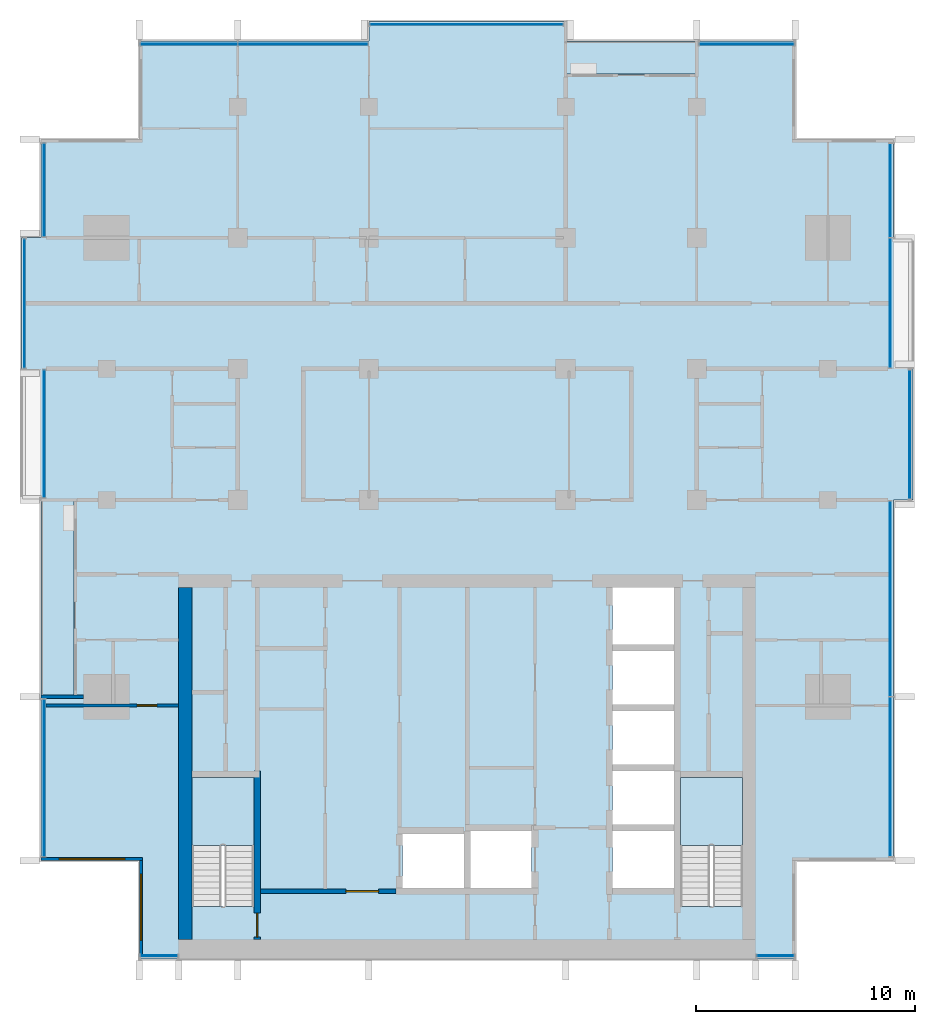
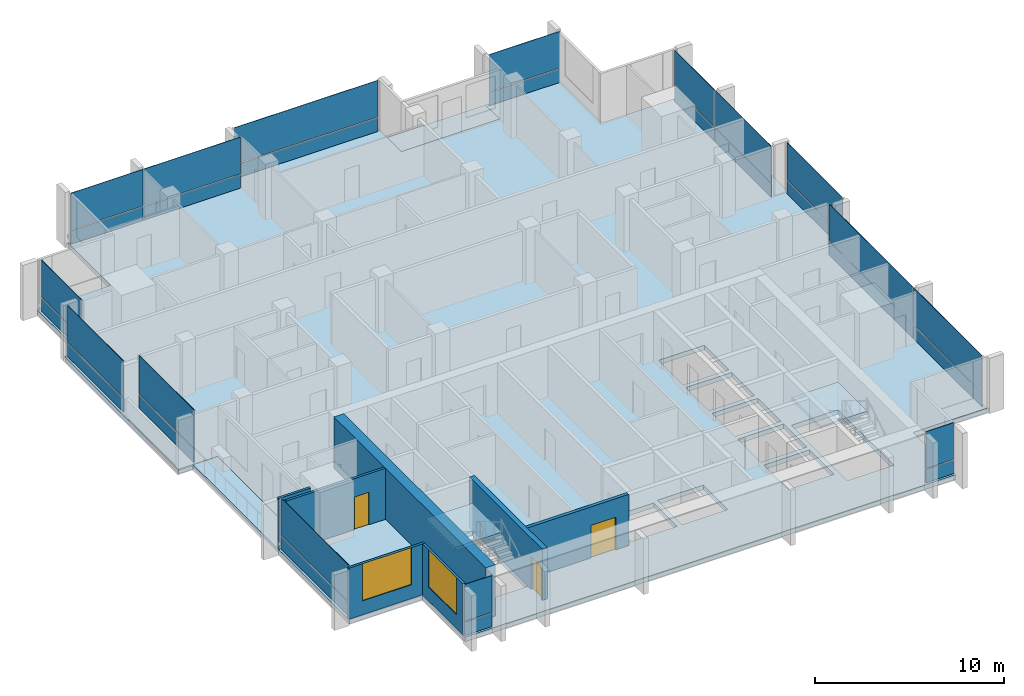
# One storey, part 6 of 16: 30 plates, 7 walls, 5 slabs, 3 doors, 2 windows, 5 openings, 14 elements without a shape of their own.
"""IFC4 building model written with IfcOpenShell, lengths in metres."""

import ifcopenshell
import ifcopenshell.guid

model = None  # the IFC model being written
_history = None  # IfcOwnerHistory: only IFC2X3 demands one
_inside = {}  # id of a spatial element -> (the spatial element, [elements in it])
_under = {}  # id of a project, library or spatial element -> (it, [spatial elements below it])
_declared = {}  # id of a project -> (the project, [libraries it declares])
_typed = {}  # id of a type object -> (the type object, [elements of that type])
_made_of = {}  # id of a material, layer set ... -> (it, [elements and type objects made of it])


def new_model(schema):
    """Start an empty IFC model of exactly this schema.

    Asked for "IFC4X3", IfcOpenShell would pick the latest addendum, in which some entities
    have other attributes; the version numbers below select the first issue.
    IFC2X3 requires an IfcOwnerHistory on every rooted entity: one is made here for all.
    """
    global model, _history
    if schema == "IFC4X3":
        model = ifcopenshell.file(schema_version=(4, 3, 0, 0))
    else:
        model = ifcopenshell.file(schema=schema)
    _inside.clear()
    _under.clear()
    _declared.clear()
    _typed.clear()
    _made_of.clear()
    _history = None
    if model.schema == "IFC2X3":
        org = make("IfcOrganization", Name="unknown")
        user = make(
            "IfcPersonAndOrganization",
            ThePerson=make("IfcPerson", FamilyName="unknown"),
            TheOrganization=org,
        )
        app = make(
            "IfcApplication",
            ApplicationDeveloper=org,
            Version="unknown",
            ApplicationFullName="unknown",
            ApplicationIdentifier="unknown",
        )
        _history = make(
            "IfcOwnerHistory",
            OwningUser=user,
            OwningApplication=app,
            ChangeAction="ADDED",
            CreationDate=0,
        )
    return model


def make(cls, **values):
    """One entity of the class cls with the attributes given. An attribute that is None is left unset."""
    return model.create_entity(
        cls, **{name: value for name, value in values.items() if value is not None}
    )


def rooted(cls, **values):
    """An entity with a GlobalId (a new one), such as an element, a storey or a relation."""
    return make(cls, GlobalId=ifcopenshell.guid.new(), OwnerHistory=_history, **values)


def si_unit(unit_type, name, prefix=None):
    """IfcSIUnit, for example si_unit("LENGTHUNIT", "METRE", prefix="MILLI")."""
    return make("IfcSIUnit", UnitType=unit_type, Prefix=prefix, Name=name)


def assignment(units):
    """IfcUnitAssignment: the units of a project."""
    return None if units is None else make("IfcUnitAssignment", Units=units)


def point(xyz):
    """IfcCartesianPoint."""
    return None if xyz is None else make("IfcCartesianPoint", Coordinates=xyz)


def direction(xyz):
    """IfcDirection."""
    return None if xyz is None else make("IfcDirection", DirectionRatios=xyz)


def frame(location, z_axis=None, x_axis=None):
    """IfcAxis2Placement3D, a coordinate frame: its origin and axes. An axis left out is left unset."""
    return make(
        "IfcAxis2Placement3D",
        Location=point(location),
        Axis=direction(z_axis),
        RefDirection=direction(x_axis),
    )


def frame_2d(location, x_axis=None):
    """IfcAxis2Placement2D, a coordinate frame in the plane: its origin and x axis."""
    return make(
        "IfcAxis2Placement2D", Location=point(location), RefDirection=direction(x_axis)
    )


def origin():
    """The frame at (0, 0, 0) with its axes left unset."""
    return frame((0.0, 0.0, 0.0))


def origin_2d():
    """The frame at (0, 0) in the plane with its x axis left unset."""
    return frame_2d((0.0, 0.0))


def place(relative_to, where):
    """IfcLocalPlacement: puts the frame where relative to a parent placement (None: the world)."""
    return make(
        "IfcLocalPlacement", PlacementRelTo=relative_to, RelativePlacement=where
    )


def context(
    kind, dimensions, precision=None, world=None, true_north=None, identifier=None
):
    """IfcGeometricRepresentationContext, for example the 3D "Model" context."""
    return make(
        "IfcGeometricRepresentationContext",
        ContextIdentifier=identifier,
        ContextType=kind,
        CoordinateSpaceDimension=dimensions,
        Precision=precision,
        WorldCoordinateSystem=world,
        TrueNorth=true_north,
    )


def subcontext(parent, identifier, kind, view, scale=None):
    """IfcGeometricRepresentationSubContext, for example "Body" below "Model"."""
    return make(
        "IfcGeometricRepresentationSubContext",
        ContextIdentifier=identifier,
        ContextType=kind,
        ParentContext=parent,
        TargetScale=scale,
        TargetView=view,
    )


def project(units=None, contexts=None):
    """IfcProject with its units and contexts."""
    return rooted(
        "IfcProject",
        Name="project",
        RepresentationContexts=contexts,
        UnitsInContext=assignment(units),
    )


def spatial(cls, under=None, at=None, **own):
    """A site, building, storey or space (cls), placed at a placement, below another one or the project."""
    s = rooted(cls, ObjectPlacement=at, **own)
    if under is not None:
        _under.setdefault(under.id(), (under, []))[1].append(s)
    return s


def polyline(points):
    """IfcPolyline through the points."""
    return make("IfcPolyline", Points=[point(p) for p in points])


def profile(cls, at=None, kind="AREA", **sizes):
    """A parametric profile (cls). Its sizes go by their IFC names, for example OverallWidth=200.0."""
    return make(cls, ProfileType=kind, Position=at, **sizes)


def rectangle(**sizes):
    """IfcRectangleProfileDef."""
    return profile("IfcRectangleProfileDef", **sizes)


def outline(outer, holes=None, kind="AREA"):
    """IfcArbitraryClosedProfileDef: a profile drawn as a closed curve; with holes, ...WithVoids."""
    if holes is None:
        return make("IfcArbitraryClosedProfileDef", ProfileType=kind, OuterCurve=outer)
    return make(
        "IfcArbitraryProfileDefWithVoids",
        ProfileType=kind,
        OuterCurve=outer,
        InnerCurves=holes,
    )


def extrude(swept, where, along, depth):
    """IfcExtrudedAreaSolid: the profile swept, set in the frame where, extruded along a direction by depth."""
    return make(
        "IfcExtrudedAreaSolid",
        SweptArea=swept,
        Position=where,
        ExtrudedDirection=direction(along),
        Depth=depth,
    )


def shape(context_of_items, identifier, shape_type, items):
    """IfcShapeRepresentation: the items that make up one representation, for example the "Body"."""
    return make(
        "IfcShapeRepresentation",
        ContextOfItems=context_of_items,
        RepresentationIdentifier=identifier,
        RepresentationType=shape_type,
        Items=items,
    )


def material(Name=None, Category=None):
    """IfcMaterial."""
    return make("IfcMaterial", Name=Name, Category=Category)


def layer(
    of_material, thickness, ventilated=None, Name=None, Category=None, Priority=None
):
    """IfcMaterialLayer: one layer of a wall or slab, of a material (None: an air gap)."""
    return make(
        "IfcMaterialLayer",
        Material=of_material,
        LayerThickness=thickness,
        IsVentilated=ventilated,
        Name=Name,
        Category=Category,
        Priority=Priority,
    )


def layer_set(layers, Name=None):
    """IfcMaterialLayerSet."""
    return make("IfcMaterialLayerSet", MaterialLayers=layers, LayerSetName=Name)


def made_of(thing, what):
    """Note that an element or type object is made of a material, layer set ...; save() writes the relation."""
    if what is not None:
        _made_of.setdefault(what.id(), (what, []))[1].append(thing)
    return thing


def type_object(cls, material=None, **own):
    """A type object (cls), such as IfcWallType, which elements share."""
    return made_of(rooted(cls, **own), material)


def element(
    cls,
    number,
    at=None,
    inside=None,
    cuts=None,
    type_object=None,
    material=None,
    context=None,
    identifier="Body",
    shape_type=None,
    held_by="IfcProductDefinitionShape",
    body=None,
    shapes=None,
    **own,
):
    """One element of the class cls, such as IfcWall. Its Tag is "e" and its number.

    at: its placement. inside: the storey or other place that contains it. cuts: it is an
    opening in that element (IfcRelVoidsElement). A single representation is given by context,
    identifier, shape_type and body (its items); several are given by shapes. held_by: the class
    of the entity that holds the representations. save() writes the other relations.
    """
    e = rooted(cls, Tag="e%d" % number, ObjectPlacement=at, **own)
    if body is not None:
        shapes = [shape(context, identifier, shape_type, body)]
    if shapes is not None:
        e.Representation = make(held_by, Representations=shapes)
    if inside is not None:
        _inside.setdefault(inside.id(), (inside, []))[1].append(e)
    if cuts is not None:
        rooted(
            "IfcRelVoidsElement", RelatingBuildingElement=cuts, RelatedOpeningElement=e
        )
    if type_object is not None:
        _typed.setdefault(type_object.id(), (type_object, []))[1].append(e)
    return made_of(e, material)


def fill(opening, filler):
    """IfcRelFillsElement: the door or window that sits in an opening."""
    return rooted(
        "IfcRelFillsElement",
        RelatingOpeningElement=opening,
        RelatedBuildingElement=filler,
    )


def aggregate(whole, parts):
    """IfcRelAggregates: a whole, such as a stair, and the parts it consists of."""
    return rooted("IfcRelAggregates", RelatingObject=whole, RelatedObjects=parts)


def save(model, path):
    """Write the relations noted so far, then the file.

    IfcRelAggregates (storeys below a building ...), IfcRelContainedInSpatialStructure (elements
    in a storey), IfcRelDefinesByType, IfcRelAssociatesMaterial and IfcRelDeclares: one each for
    every whole, place, type object, material and project.
    """
    for whole, parts in _under.values():
        aggregate(whole, parts)
    for where, things in _inside.values():
        rooted(
            "IfcRelContainedInSpatialStructure",
            RelatedElements=things,
            RelatingStructure=where,
        )
    for kind, things in _typed.values():
        rooted("IfcRelDefinesByType", RelatedObjects=things, RelatingType=kind)
    for what, things in _made_of.values():
        rooted("IfcRelAssociatesMaterial", RelatedObjects=things, RelatingMaterial=what)
    for by, libraries in _declared.values():
        rooted("IfcRelDeclares", RelatingContext=by, RelatedDefinitions=libraries)
    model.write(path)


model = new_model("IFC4")

# Units and contexts
model_context = context("Model", 3, precision=1e-05, world=origin(), true_north=direction((0.0, 1.0)))
body_context = subcontext(model_context, "Body", "Model", "MODEL_VIEW")
ifc_project = project(units=[si_unit("LENGTHUNIT", "METRE"), si_unit("AREAUNIT", "SQUARE_METRE"), si_unit("VOLUMEUNIT", "CUBIC_METRE"), si_unit("PLANEANGLEUNIT", "RADIAN"), si_unit("MASSUNIT", "GRAM", prefix="KILO")], contexts=[model_context])

# Site, building, storey
site_placement = place(None, origin())
site = spatial("IfcSite", under=ifc_project, at=site_placement, CompositionType="ELEMENT")
building_placement = place(site_placement, origin())
building = spatial("IfcBuilding", under=site, at=building_placement, Name="Finial Court Residences", CompositionType="ELEMENT")
storey_placement = place(building_placement, frame((0.0, 0.0, 230.300048828125)))
storey = spatial("IfcBuildingStorey", under=building, at=storey_placement, Name="L58", CompositionType="ELEMENT", Elevation=230.300048828125)

# Slabs
ifc_material_1 = material(Name="Concrete C35/45", Category="concrete")
ifc_layer_1 = layer(ifc_material_1, 0.199951171875)
ifc_layer_set_1 = layer_set([ifc_layer_1], Name="Balcony slab, Concrete C35/45 200")
slab_type_1 = type_object("IfcSlabType", Name="Balcony slab, Concrete C35/45 200", PredefinedType="FLOOR", material=ifc_layer_set_1)
slab_1_placement = place(storey_placement, frame((0.0, 0.0, -0.199951171875)))
element("IfcSlab", 1, at=slab_1_placement, inside=storey, type_object=slab_type_1, Name="Balcony L58-N4", PredefinedType="FLOOR", context=body_context, shape_type="SweptSolid", body=[
    extrude(outline(polyline([(10.5, 15.0), (10.5, 16.5), (4.5, 16.5), (4.5, 15.0), (10.5, 15.0)])), origin(), (0.0, 0.0, 1.0), 0.199951171875),
])
slab_2_placement = place(storey_placement, frame((0.0, 0.0, -0.199951171875)))
element("IfcSlab", 2, at=slab_2_placement, inside=storey, type_object=slab_type_1, Name="Balcony L58-W2", PredefinedType="FLOOR", context=body_context, shape_type="SweptSolid", body=[
    extrude(outline(polyline([(-18.0, -13.5), (-18.0, -4.5), (-19.5, -4.5), (-19.5, -13.5), (-18.0, -13.5)])), origin(), (0.0, 0.0, 1.0), 0.199951171875),
])

# Curtain wall, plates
ifc_material_2 = material(Name="Bronze anodised aluminium", Category="aluminium")
curtain_wall_type = type_object("IfcCurtainWallType", Name="Unitised curtain wall, upper zones", PredefinedType="NOTDEFINED", material=ifc_material_2)
curtain_wall_1_placement = place(storey_placement, origin())
curtain_wall_1 = element("IfcCurtainWall", 3, at=curtain_wall_1_placement, inside=storey, type_object=curtain_wall_type, Name="E-L58-CW-N1", PredefinedType="NOTDEFINED")
ifc_layer_2 = layer(ifc_material_2, 0.035888671875)
ifc_layer_set_2 = layer_set([ifc_layer_2], Name="CW2 spandrel panel 36")
plate_type_1 = type_object("IfcPlateType", Name="CW2 spandrel panel 36", PredefinedType="CURTAIN_PANEL", material=ifc_layer_set_2)
plate_1_placement = place(storey_placement, frame((-12.735107421875, 16.35009765625, 0.0), z_axis=(0.0, 0.0, 1.0), x_axis=(1.0, 0.0, 0.0)))
plate_1 = element("IfcPlate", 4, at=plate_1_placement, type_object=plate_type_1, Name="CW2 spandrel 1.1", PredefinedType="CURTAIN_PANEL", context=body_context, shape_type="SweptSolid", body=[
    extrude(rectangle(XDim=4.409912109375, YDim=0.035888671875, at=origin_2d()), origin(), (0.0, 0.0, 1.0), 0.8701171875),
])
plate_2_placement = place(storey_placement, frame((-7.514892578125, 16.35009765625, 0.0), z_axis=(0.0, 0.0, 1.0), x_axis=(1.0, 0.0, 0.0)))
plate_2 = element("IfcPlate", 5, at=plate_2_placement, type_object=plate_type_1, Name="CW2 spandrel 2.1", PredefinedType="CURTAIN_PANEL", context=body_context, shape_type="SweptSolid", body=[
    extrude(rectangle(XDim=5.909912109375, YDim=0.035888671875, at=origin_2d()), origin(), (0.0, 0.0, 1.0), 0.8701171875),
])

# Curtain wall, plate
curtain_wall_2_placement = place(storey_placement, origin())
curtain_wall_2 = element("IfcCurtainWall", 6, at=curtain_wall_2_placement, inside=storey, type_object=curtain_wall_type, Name="E-L58-CW-N2", PredefinedType="NOTDEFINED")
plate_3_placement = place(storey_placement, frame((-0.03759765625, 17.25, 0.0), z_axis=(0.0, 0.0, 1.0), x_axis=(1.0, 0.0, 0.0)))
plate_3 = element("IfcPlate", 7, at=plate_3_placement, type_object=plate_type_1, Name="CW2 spandrel 1.1", PredefinedType="CURTAIN_PANEL", context=body_context, shape_type="SweptSolid", body=[
    extrude(rectangle(XDim=8.804931640625, YDim=0.035888671875, at=origin_2d()), origin(), (0.0, 0.0, 1.0), 0.8701171875),
])

curtain_wall_3_placement = place(storey_placement, origin())
curtain_wall_3 = element("IfcCurtainWall", 8, at=curtain_wall_3_placement, inside=storey, type_object=curtain_wall_type, Name="E-L58-CW-N3", PredefinedType="NOTDEFINED")
plate_4_placement = place(storey_placement, frame((12.78759765625, 16.35009765625, 0.0), z_axis=(0.0, 0.0, 1.0), x_axis=(1.0, 0.0, 0.0)))
plate_4 = element("IfcPlate", 9, at=plate_4_placement, type_object=plate_type_1, Name="CW2 spandrel 1.1", PredefinedType="CURTAIN_PANEL", context=body_context, shape_type="SweptSolid", body=[
    extrude(rectangle(XDim=4.304931640625, YDim=0.035888671875, at=origin_2d()), origin(), (0.0, 0.0, 1.0), 0.8701171875),
])

# Curtain wall, plates
curtain_wall_4_placement = place(storey_placement, origin())
curtain_wall_4 = element("IfcCurtainWall", 10, at=curtain_wall_4_placement, inside=storey, type_object=curtain_wall_type, Name="E-L58-CW-E4", PredefinedType="NOTDEFINED")
plate_5_placement = place(storey_placement, frame((19.35009765625, -17.159912109375, 0.0), z_axis=(0.0, 0.0, 1.0), x_axis=(0.0, 1.0, 0.0)))
plate_5 = element("IfcPlate", 11, at=plate_5_placement, type_object=plate_type_1, Name="CW2 spandrel 1.1", PredefinedType="CURTAIN_PANEL", context=body_context, shape_type="SweptSolid", body=[
    extrude(rectangle(XDim=7.260009765625, YDim=0.035888671875, at=origin_2d()), origin(), (0.0, 0.0, 1.0), 0.8701171875),
])
plate_6_placement = place(storey_placement, frame((19.35009765625, -9.014892578125, 0.0), z_axis=(0.0, 0.0, 1.0), x_axis=(0.0, 1.0, 0.0)))
plate_6 = element("IfcPlate", 12, at=plate_6_placement, type_object=plate_type_1, Name="CW2 spandrel 2.1", PredefinedType="CURTAIN_PANEL", context=body_context, shape_type="SweptSolid", body=[
    extrude(rectangle(XDim=8.909912109375, YDim=0.035888671875, at=origin_2d()), origin(), (0.0, 0.0, 1.0), 0.8701171875),
])

# Curtain wall, plate
curtain_wall_5_placement = place(storey_placement, origin())
curtain_wall_5 = element("IfcCurtainWall", 13, at=curtain_wall_5_placement, inside=storey, type_object=curtain_wall_type, Name="E-L58-CW-E5", PredefinedType="NOTDEFINED")
plate_7_placement = place(storey_placement, frame((20.25, -1.5, 0.0), z_axis=(0.0, 0.0, 1.0), x_axis=(0.0, 1.0, 0.0)))
plate_7 = element("IfcPlate", 14, at=plate_7_placement, type_object=plate_type_1, Name="CW2 spandrel 1.1", PredefinedType="CURTAIN_PANEL", context=body_context, shape_type="SweptSolid", body=[
    extrude(rectangle(XDim=5.8798828125, YDim=0.035888671875, at=origin_2d()), origin(), (0.0, 0.0, 1.0), 0.8701171875),
])

# Curtain wall, plates
curtain_wall_6_placement = place(storey_placement, origin())
curtain_wall_6 = element("IfcCurtainWall", 15, at=curtain_wall_6_placement, inside=storey, type_object=curtain_wall_type, Name="E-L58-CW-E6", PredefinedType="NOTDEFINED")
plate_8_placement = place(storey_placement, frame((19.35009765625, 4.514892578125, 0.0), z_axis=(0.0, 0.0, 1.0), x_axis=(0.0, 1.0, 0.0)))
plate_8 = element("IfcPlate", 16, at=plate_8_placement, type_object=plate_type_1, Name="CW2 spandrel 1.1", PredefinedType="CURTAIN_PANEL", context=body_context, shape_type="SweptSolid", body=[
    extrude(rectangle(XDim=5.909912109375, YDim=0.035888671875, at=origin_2d()), origin(), (0.0, 0.0, 1.0), 0.8701171875),
])
plate_9_placement = place(storey_placement, frame((19.35009765625, 9.659912109375, 0.0), z_axis=(0.0, 0.0, 1.0), x_axis=(0.0, 1.0, 0.0)))
plate_9 = element("IfcPlate", 17, at=plate_9_placement, type_object=plate_type_1, Name="CW2 spandrel 2.1", PredefinedType="CURTAIN_PANEL", context=body_context, shape_type="SweptSolid", body=[
    extrude(rectangle(XDim=4.260009765625, YDim=0.035888671875, at=origin_2d()), origin(), (0.0, 0.0, 1.0), 0.8701171875),
])

# Curtain wall, plate
curtain_wall_7_placement = place(storey_placement, origin())
curtain_wall_7 = element("IfcCurtainWall", 18, at=curtain_wall_7_placement, inside=storey, type_object=curtain_wall_type, Name="E-L58-CW-S7", PredefinedType="NOTDEFINED")
plate_10_placement = place(storey_placement, frame((-14.10009765625, -25.35009765625, 0.0), z_axis=(0.0, 0.0, 1.0), x_axis=(1.0, 0.0, 0.0)))
plate_10 = element("IfcPlate", 19, at=plate_10_placement, type_object=plate_type_1, Name="CW2 spandrel 1.1", PredefinedType="CURTAIN_PANEL", context=body_context, shape_type="SweptSolid", body=[
    extrude(rectangle(XDim=1.679931640625, YDim=0.035888671875, at=origin_2d()), origin(), (0.0, 0.0, 1.0), 0.8701171875),
])

curtain_wall_8_placement = place(storey_placement, origin())
curtain_wall_8 = element("IfcCurtainWall", 20, at=curtain_wall_8_placement, inside=storey, type_object=curtain_wall_type, Name="E-L58-CW-S8", PredefinedType="NOTDEFINED")
plate_11_placement = place(storey_placement, frame((14.10009765625, -25.35009765625, 0.0), z_axis=(0.0, 0.0, 1.0), x_axis=(1.0, 0.0, 0.0)))
plate_11 = element("IfcPlate", 21, at=plate_11_placement, type_object=plate_type_1, Name="CW2 spandrel 1.1", PredefinedType="CURTAIN_PANEL", context=body_context, shape_type="SweptSolid", body=[
    extrude(rectangle(XDim=1.679931640625, YDim=0.035888671875, at=origin_2d()), origin(), (0.0, 0.0, 1.0), 0.8701171875),
])

curtain_wall_9_placement = place(storey_placement, origin())
curtain_wall_9 = element("IfcCurtainWall", 22, at=curtain_wall_9_placement, inside=storey, type_object=curtain_wall_type, Name="E-L58-CW-W9", PredefinedType="NOTDEFINED")
plate_12_placement = place(storey_placement, frame((-19.35009765625, -17.21240234375, 0.0), z_axis=(0.0, 0.0, 1.0), x_axis=(0.0, 1.0, 0.0)))
plate_12 = element("IfcPlate", 23, at=plate_12_placement, type_object=plate_type_1, Name="CW2 spandrel 1.1", PredefinedType="CURTAIN_PANEL", context=body_context, shape_type="SweptSolid", body=[
    extrude(rectangle(XDim=7.155029296875, YDim=0.035888671875, at=origin_2d()), origin(), (0.0, 0.0, 1.0), 0.8701171875),
])

curtain_wall_10_placement = place(storey_placement, origin())
curtain_wall_10 = element("IfcCurtainWall", 24, at=curtain_wall_10_placement, inside=storey, type_object=curtain_wall_type, Name="E-L58-CW-W10", PredefinedType="NOTDEFINED")
plate_13_placement = place(storey_placement, frame((-19.35009765625, -1.46240234375, 0.0), z_axis=(0.0, 0.0, 1.0), x_axis=(0.0, 1.0, 0.0)))
plate_13 = element("IfcPlate", 25, at=plate_13_placement, type_object=plate_type_1, Name="CW2 spandrel 1.1", PredefinedType="CURTAIN_PANEL", context=body_context, shape_type="SweptSolid", body=[
    extrude(rectangle(XDim=5.804931640625, YDim=0.035888671875, at=origin_2d()), origin(), (0.0, 0.0, 1.0), 0.8701171875),
])

curtain_wall_11_placement = place(storey_placement, origin())
curtain_wall_11 = element("IfcCurtainWall", 26, at=curtain_wall_11_placement, inside=storey, type_object=curtain_wall_type, Name="E-L58-CW-W11", PredefinedType="NOTDEFINED")
plate_14_placement = place(storey_placement, frame((-20.25, 4.5, 0.0), z_axis=(0.0, 0.0, 1.0), x_axis=(0.0, 1.0, 0.0)))
plate_14 = element("IfcPlate", 27, at=plate_14_placement, type_object=plate_type_1, Name="CW2 spandrel 1.1", PredefinedType="CURTAIN_PANEL", context=body_context, shape_type="SweptSolid", body=[
    extrude(rectangle(XDim=5.8798828125, YDim=0.035888671875, at=origin_2d()), origin(), (0.0, 0.0, 1.0), 0.8701171875),
])

curtain_wall_12_placement = place(storey_placement, origin())
curtain_wall_12 = element("IfcCurtainWall", 28, at=curtain_wall_12_placement, inside=storey, type_object=curtain_wall_type, Name="E-L58-CW-W12", PredefinedType="NOTDEFINED")
plate_15_placement = place(storey_placement, frame((-19.35009765625, 9.675048828125, 0.0), z_axis=(0.0, 0.0, 1.0), x_axis=(0.0, 1.0, 0.0)))
plate_15 = element("IfcPlate", 29, at=plate_15_placement, type_object=plate_type_1, Name="CW2 spandrel 1.1", PredefinedType="CURTAIN_PANEL", context=body_context, shape_type="SweptSolid", body=[
    extrude(rectangle(XDim=4.22998046875, YDim=0.035888671875, at=origin_2d()), origin(), (0.0, 0.0, 1.0), 0.8701171875),
])

# Plate
ifc_material_3 = material(Name="Clear low-e glass", Category="glass")
ifc_layer_3 = layer(ifc_material_3, 0.030029296875)
ifc_layer_set_3 = layer_set([ifc_layer_3], Name="CW2 vision glass 30")
plate_type_2 = type_object("IfcPlateType", Name="CW2 vision glass 30", PredefinedType="CURTAIN_PANEL", material=ifc_layer_set_3)
plate_16_placement = place(storey_placement, frame((-12.735107421875, 16.35009765625, 0.929931640625), z_axis=(0.0, 0.0, 1.0), x_axis=(1.0, 0.0, 0.0)))
plate_16 = element("IfcPlate", 30, at=plate_16_placement, type_object=plate_type_2, Name="CW2 glass 1.2", PredefinedType="CURTAIN_PANEL", context=body_context, shape_type="SweptSolid", body=[
    extrude(rectangle(XDim=4.409912109375, YDim=0.030029296875, at=origin_2d()), origin(), (0.0, 0.0, 1.0), 2.3701171875),
])

plate_17_placement = place(storey_placement, frame((-7.514892578125, 16.35009765625, 0.929931640625), z_axis=(0.0, 0.0, 1.0), x_axis=(1.0, 0.0, 0.0)))
plate_17 = element("IfcPlate", 31, at=plate_17_placement, type_object=plate_type_2, Name="CW2 glass 2.2", PredefinedType="CURTAIN_PANEL", context=body_context, shape_type="SweptSolid", body=[
    extrude(rectangle(XDim=5.909912109375, YDim=0.030029296875, at=origin_2d()), origin(), (0.0, 0.0, 1.0), 2.3701171875),
])

aggregate(curtain_wall_1, [plate_1, plate_16, plate_2, plate_17])

plate_18_placement = place(storey_placement, frame((-0.03759765625, 17.25, 0.929931640625), z_axis=(0.0, 0.0, 1.0), x_axis=(1.0, 0.0, 0.0)))
plate_18 = element("IfcPlate", 32, at=plate_18_placement, type_object=plate_type_2, Name="CW2 glass 1.2", PredefinedType="CURTAIN_PANEL", context=body_context, shape_type="SweptSolid", body=[
    extrude(rectangle(XDim=8.804931640625, YDim=0.030029296875, at=origin_2d()), origin(), (0.0, 0.0, 1.0), 2.3701171875),
])

aggregate(curtain_wall_2, [plate_3, plate_18])

plate_19_placement = place(storey_placement, frame((12.78759765625, 16.35009765625, 0.929931640625), z_axis=(0.0, 0.0, 1.0), x_axis=(1.0, 0.0, 0.0)))
plate_19 = element("IfcPlate", 33, at=plate_19_placement, type_object=plate_type_2, Name="CW2 glass 1.2", PredefinedType="CURTAIN_PANEL", context=body_context, shape_type="SweptSolid", body=[
    extrude(rectangle(XDim=4.304931640625, YDim=0.030029296875, at=origin_2d()), origin(), (0.0, 0.0, 1.0), 2.3701171875),
])

aggregate(curtain_wall_3, [plate_4, plate_19])

plate_20_placement = place(storey_placement, frame((19.35009765625, -17.159912109375, 0.929931640625), z_axis=(0.0, 0.0, 1.0), x_axis=(0.0, 1.0, 0.0)))
plate_20 = element("IfcPlate", 34, at=plate_20_placement, type_object=plate_type_2, Name="CW2 glass 1.2", PredefinedType="CURTAIN_PANEL", context=body_context, shape_type="SweptSolid", body=[
    extrude(rectangle(XDim=7.260009765625, YDim=0.030029296875, at=origin_2d()), origin(), (0.0, 0.0, 1.0), 2.3701171875),
])

plate_21_placement = place(storey_placement, frame((19.35009765625, -9.014892578125, 0.929931640625), z_axis=(0.0, 0.0, 1.0), x_axis=(0.0, 1.0, 0.0)))
plate_21 = element("IfcPlate", 35, at=plate_21_placement, type_object=plate_type_2, Name="CW2 glass 2.2", PredefinedType="CURTAIN_PANEL", context=body_context, shape_type="SweptSolid", body=[
    extrude(rectangle(XDim=8.909912109375, YDim=0.030029296875, at=origin_2d()), origin(), (0.0, 0.0, 1.0), 2.3701171875),
])

aggregate(curtain_wall_4, [plate_5, plate_20, plate_6, plate_21])

plate_22_placement = place(storey_placement, frame((20.25, -1.5, 0.929931640625), z_axis=(0.0, 0.0, 1.0), x_axis=(0.0, 1.0, 0.0)))
plate_22 = element("IfcPlate", 36, at=plate_22_placement, type_object=plate_type_2, Name="CW2 glass 1.2", PredefinedType="CURTAIN_PANEL", context=body_context, shape_type="SweptSolid", body=[
    extrude(rectangle(XDim=5.8798828125, YDim=0.030029296875, at=origin_2d()), origin(), (0.0, 0.0, 1.0), 2.3701171875),
])

aggregate(curtain_wall_5, [plate_7, plate_22])

plate_23_placement = place(storey_placement, frame((19.35009765625, 4.514892578125, 0.929931640625), z_axis=(0.0, 0.0, 1.0), x_axis=(0.0, 1.0, 0.0)))
plate_23 = element("IfcPlate", 37, at=plate_23_placement, type_object=plate_type_2, Name="CW2 glass 1.2", PredefinedType="CURTAIN_PANEL", context=body_context, shape_type="SweptSolid", body=[
    extrude(rectangle(XDim=5.909912109375, YDim=0.030029296875, at=origin_2d()), origin(), (0.0, 0.0, 1.0), 2.3701171875),
])

plate_24_placement = place(storey_placement, frame((19.35009765625, 9.659912109375, 0.929931640625), z_axis=(0.0, 0.0, 1.0), x_axis=(0.0, 1.0, 0.0)))
plate_24 = element("IfcPlate", 38, at=plate_24_placement, type_object=plate_type_2, Name="CW2 glass 2.2", PredefinedType="CURTAIN_PANEL", context=body_context, shape_type="SweptSolid", body=[
    extrude(rectangle(XDim=4.260009765625, YDim=0.030029296875, at=origin_2d()), origin(), (0.0, 0.0, 1.0), 2.3701171875),
])

aggregate(curtain_wall_6, [plate_8, plate_23, plate_9, plate_24])

plate_25_placement = place(storey_placement, frame((-14.10009765625, -25.35009765625, 0.929931640625), z_axis=(0.0, 0.0, 1.0), x_axis=(1.0, 0.0, 0.0)))
plate_25 = element("IfcPlate", 39, at=plate_25_placement, type_object=plate_type_2, Name="CW2 glass 1.2", PredefinedType="CURTAIN_PANEL", context=body_context, shape_type="SweptSolid", body=[
    extrude(rectangle(XDim=1.679931640625, YDim=0.030029296875, at=origin_2d()), origin(), (0.0, 0.0, 1.0), 2.3701171875),
])

aggregate(curtain_wall_7, [plate_10, plate_25])

plate_26_placement = place(storey_placement, frame((14.10009765625, -25.35009765625, 0.929931640625), z_axis=(0.0, 0.0, 1.0), x_axis=(1.0, 0.0, 0.0)))
plate_26 = element("IfcPlate", 40, at=plate_26_placement, type_object=plate_type_2, Name="CW2 glass 1.2", PredefinedType="CURTAIN_PANEL", context=body_context, shape_type="SweptSolid", body=[
    extrude(rectangle(XDim=1.679931640625, YDim=0.030029296875, at=origin_2d()), origin(), (0.0, 0.0, 1.0), 2.3701171875),
])

aggregate(curtain_wall_8, [plate_11, plate_26])

plate_27_placement = place(storey_placement, frame((-19.35009765625, -17.21240234375, 0.929931640625), z_axis=(0.0, 0.0, 1.0), x_axis=(0.0, 1.0, 0.0)))
plate_27 = element("IfcPlate", 41, at=plate_27_placement, type_object=plate_type_2, Name="CW2 glass 1.2", PredefinedType="CURTAIN_PANEL", context=body_context, shape_type="SweptSolid", body=[
    extrude(rectangle(XDim=7.155029296875, YDim=0.030029296875, at=origin_2d()), origin(), (0.0, 0.0, 1.0), 2.3701171875),
])

aggregate(curtain_wall_9, [plate_12, plate_27])

plate_28_placement = place(storey_placement, frame((-19.35009765625, -1.46240234375, 0.93017578125), z_axis=(0.0, 0.0, 1.0), x_axis=(0.0, 1.0, 0.0)))
plate_28 = element("IfcPlate", 42, at=plate_28_placement, type_object=plate_type_2, Name="CW2 glass 1.2", PredefinedType="CURTAIN_PANEL", context=body_context, shape_type="SweptSolid", body=[
    extrude(rectangle(XDim=5.804931640625, YDim=0.030029296875, at=origin_2d()), origin(), (0.0, 0.0, 1.0), 2.469970703125),
])

aggregate(curtain_wall_10, [plate_13, plate_28])

plate_29_placement = place(storey_placement, frame((-20.25, 4.5, 0.929931640625), z_axis=(0.0, 0.0, 1.0), x_axis=(0.0, 1.0, 0.0)))
plate_29 = element("IfcPlate", 43, at=plate_29_placement, type_object=plate_type_2, Name="CW2 glass 1.2", PredefinedType="CURTAIN_PANEL", context=body_context, shape_type="SweptSolid", body=[
    extrude(rectangle(XDim=5.8798828125, YDim=0.030029296875, at=origin_2d()), origin(), (0.0, 0.0, 1.0), 2.3701171875),
])

aggregate(curtain_wall_11, [plate_14, plate_29])

plate_30_placement = place(storey_placement, frame((-19.35009765625, 9.675048828125, 0.929931640625), z_axis=(0.0, 0.0, 1.0), x_axis=(0.0, 1.0, 0.0)))
plate_30 = element("IfcPlate", 44, at=plate_30_placement, type_object=plate_type_2, Name="CW2 glass 1.2", PredefinedType="CURTAIN_PANEL", context=body_context, shape_type="SweptSolid", body=[
    extrude(rectangle(XDim=4.22998046875, YDim=0.030029296875, at=origin_2d()), origin(), (0.0, 0.0, 1.0), 2.3701171875),
])

aggregate(curtain_wall_12, [plate_15, plate_30])

# Stair, slab
ifc_material_4 = material(Name="Concrete C50/60", Category="concrete")
stair_type = type_object("IfcStairType", Name="Exit stair 22 risers of 163.6 mm", PredefinedType="HALF_TURN_STAIR", material=ifc_material_4)
stair_1_placement = place(storey_placement, origin())
stair_1 = element("IfcStair", 45, at=stair_1_placement, inside=storey, type_object=stair_type, Name="L58 Exit stair ST-1", PredefinedType="HALF_TURN_STAIR")
ifc_layer_4 = layer(ifc_material_4, 0.199951171875)
ifc_layer_set_4 = layer_set([ifc_layer_4], Name="Exit stair landing")
slab_type_2 = type_object("IfcSlabType", Name="Exit stair landing", PredefinedType="LANDING", material=ifc_layer_set_4)
slab_3_placement = place(storey_placement, frame((0.0, 0.0, 1.599853515625)))
slab_3 = element("IfcSlab", 46, at=slab_3_placement, type_object=slab_type_2, Name="ST-1 landing 1", PredefinedType="LANDING", context=body_context, shape_type="SweptSolid", body=[
    extrude(outline(polyline([(-9.75, -20.300048828125), (-9.75, -17.199951171875), (-12.60009765625, -17.199951171875), (-12.60009765625, -20.300048828125), (-9.75, -20.300048828125)])), origin(), (0.0, 0.0, 1.0), 0.2001953125),
])
aggregate(stair_1, [slab_3])

stair_2_placement = place(storey_placement, origin())
stair_2 = element("IfcStair", 47, at=stair_2_placement, inside=storey, type_object=stair_type, Name="L58 Exit stair ST-2", PredefinedType="HALF_TURN_STAIR")
slab_4_placement = place(storey_placement, frame((0.0, 0.0, 1.599853515625)))
slab_4 = element("IfcSlab", 48, at=slab_4_placement, type_object=slab_type_2, Name="ST-2 landing 1", PredefinedType="LANDING", context=body_context, shape_type="SweptSolid", body=[
    extrude(outline(polyline([(12.60009765625, -20.300048828125), (12.60009765625, -17.199951171875), (9.75, -17.199951171875), (9.75, -20.300048828125), (12.60009765625, -20.300048828125)])), origin(), (0.0, 0.0, 1.0), 0.2001953125),
])
aggregate(stair_2, [slab_4])

# Slab
ifc_material_5 = material(Name="Concrete C40/50", Category="concrete")
ifc_layer_5 = layer(ifc_material_5, 0.300048828125)
ifc_layer_set_5 = layer_set([ifc_layer_5], Name="Flat plate slab 300 Concrete C40/50")
slab_type_3 = type_object("IfcSlabType", Name="Flat plate slab 300 Concrete C40/50", PredefinedType="FLOOR", material=ifc_layer_set_5)
slab_5_placement = place(storey_placement, frame((0.0, 0.0, -0.300048828125)))
element("IfcSlab", 49, at=slab_5_placement, inside=storey, type_object=slab_type_3, Name="S:SLAB:L58", PredefinedType="FLOOR", context=body_context, shape_type="SweptSolid", body=[
    extrude(outline(polyline([(-18.0, -13.5), (-18.0, -4.5), (-19.5, -4.5), (-20.39990234375, -4.5), (-20.39990234375, 1.5), (-20.39990234375, 7.5), (-19.5, 7.5), (-19.5, 12.0), (-15.0, 12.0), (-15.0, 16.5), (-4.5, 16.5), (-4.5, 17.39990234375), (4.5, 17.39990234375), (4.5, 16.5), (4.5, 15.0), (10.5, 15.0), (10.5, 16.5), (15.0, 16.5), (15.0, 12.0), (19.5, 12.0), (19.5, 7.5), (20.39990234375, 7.5), (20.39990234375, 1.5), (20.39990234375, -4.5), (19.5, -4.5), (19.5, -21.0), (15.0, -21.0), (15.0, -25.5), (-15.0, -25.5), (-15.0, -21.0), (-19.5, -21.0), (-19.5, -13.5), (-18.0, -13.5)]), holes=[polyline([(-0.14990234375, -19.77001953125), (-2.949951171875, -19.77001953125), (-2.949951171875, -22.25), (-0.14990234375, -22.25), (-0.14990234375, -19.77001953125)]), polyline([(2.949951171875, -19.64990234375), (0.14990234375, -19.64990234375), (0.14990234375, -22.25), (2.949951171875, -22.25), (2.949951171875, -19.64990234375)]), polyline([(9.449951171875, -19.64990234375), (6.64990234375, -19.64990234375), (6.64990234375, -22.25), (9.449951171875, -22.25), (9.449951171875, -19.64990234375)]), polyline([(-12.60009765625, -17.199951171875), (-12.60009765625, -23.09912109375), (-9.75, -23.09912109375), (-9.75, -17.199951171875), (-12.60009765625, -17.199951171875)]), polyline([(9.75, -17.199951171875), (9.75, -23.09912109375), (12.60009765625, -23.09912109375), (12.60009765625, -17.199951171875), (9.75, -17.199951171875)]), polyline([(9.449951171875, -16.89990234375), (6.64990234375, -16.89990234375), (6.64990234375, -19.35009765625), (9.449951171875, -19.35009765625), (9.449951171875, -16.89990234375)]), polyline([(9.449951171875, -14.14990234375), (6.64990234375, -14.14990234375), (6.64990234375, -16.60009765625), (9.449951171875, -16.60009765625), (9.449951171875, -14.14990234375)]), polyline([(9.449951171875, -13.85009765625), (9.449951171875, -11.39990234375), (6.64990234375, -11.39990234375), (6.64990234375, -13.85009765625), (9.449951171875, -13.85009765625)]), polyline([(9.449951171875, -11.10009765625), (9.449951171875, -8.5), (6.64990234375, -8.5), (6.64990234375, -11.10009765625), (9.449951171875, -11.10009765625)])]), origin(), (0.0, 0.0, 1.0), 0.300048828125),
])

# Wall
ifc_material_6 = material(Name="Concrete C60/75", Category="concrete")
ifc_layer_6 = layer(ifc_material_6, 0.60009765625)
ifc_layer_set_6 = layer_set([ifc_layer_6], Name="Core outer wall 600 Concrete C60/75")
wall_type_1 = type_object("IfcWallType", Name="Core outer wall 600 Concrete C60/75", PredefinedType="SHEAR", material=ifc_layer_set_6)
wall_1_placement = place(storey_placement, frame((-12.89990234375, -24.60009765625, 0.0), z_axis=(0.0, 0.0, 1.0), x_axis=(0.0, 1.0, 0.0)))
element("IfcWall", 50, at=wall_1_placement, inside=storey, type_object=wall_type_1, Name="Core outer wall L58-03", PredefinedType="SHEAR", context=body_context, shape_type="SweptSolid", body=[
    extrude(rectangle(XDim=16.10009765625, YDim=0.60009765625, at=frame_2d((8.050048828125, 0.0))), origin(), (0.0, 0.0, 1.0), 3.300048828125),
])

# Wall, opening, door
ifc_material_7 = material(Name="Moisture-resistant gypsum board")
ifc_layer_7 = layer(ifc_material_7, 0.012451171875)
ifc_material_8 = material(Name="Mineral wool in light-gauge frame")
ifc_layer_8 = layer(ifc_material_8, 0.125)
ifc_layer_9 = layer(ifc_material_7, 0.012451171875)
ifc_layer_set_7 = layer_set([ifc_layer_7, ifc_layer_8, ifc_layer_9], Name="Gypsum board wet-area partition 150")
wall_type_2 = type_object("IfcWallType", Name="Gypsum board wet-area partition 150", PredefinedType="PARTITIONING", material=ifc_layer_set_7)
wall_2_placement = place(storey_placement, frame((-19.262451171875, -13.89990234375, 0.0), z_axis=(0.0, 0.0, 1.0), x_axis=(1.0, 0.0, 0.0)))
wall_2 = element("IfcWall", 51, at=wall_2_placement, inside=storey, type_object=wall_type_2, Name="Partition L58-000", PredefinedType="PARTITIONING", context=body_context, shape_type="SweptSolid", body=[
    extrude(rectangle(XDim=6.0625, YDim=0.14990234375, at=frame_2d((3.03125, 0.0))), origin(), (0.0, 0.0, 1.0), 3.300048828125),
])
opening_1_placement = place(wall_2_placement, frame((4.162109375, 0.0, 0.0)))
opening_1 = element("IfcOpeningElement", 52, at=opening_1_placement, cuts=wall_2, Name="Opening L58-D001", PredefinedType="OPENING", context=body_context, shape_type="SweptSolid", body=[
    extrude(rectangle(XDim=0.89990234375, YDim=2.10009765625, at=frame_2d((0.449951171875, 1.050048828125))), frame((0.0, 0.0849609375, 0.0), z_axis=(0.0, -1.0, 0.0), x_axis=(1.0, 0.0, 0.0)), (0.0, 0.0, 1.0), 0.169921875),
])
ifc_material_9 = material(Name="Timber door leaf in timber frame", Category="wood")
door_type_1 = type_object("IfcDoorType", Name="Door set 900 x 2100", OperationType="SINGLE_SWING_LEFT", PredefinedType="DOOR", material=ifc_material_9)
door_1_placement = place(opening_1_placement, origin())
door_1 = element("IfcDoor", 53, at=door_1_placement, inside=storey, type_object=door_type_1, Name="Door L58-D001", OperationType="SINGLE_SWING_RIGHT", OverallHeight=2.10009765625, OverallWidth=0.89990234375, PredefinedType="DOOR", context=body_context, shape_type="SweptSolid", body=[
    extrude(rectangle(XDim=0.89990234375, YDim=2.10009765625, at=frame_2d((0.449951171875, 1.050048828125))), frame((0.0, 0.02490234375, 0.0), z_axis=(0.0, -1.0, 0.0), x_axis=(1.0, 0.0, 0.0)), (0.0, 0.0, 1.0), 0.050048828125),
])
fill(opening_1, door_1)

ifc_layer_10 = layer(ifc_material_6, 0.300048828125)
ifc_layer_set_8 = layer_set([ifc_layer_10], Name="Lift shaft and stair wall 300 Concrete C60/75")
wall_type_3 = type_object("IfcWallType", Name="Lift shaft and stair wall 300 Concrete C60/75", PredefinedType="SHEAR", material=ifc_layer_set_8)
wall_3_placement = place(storey_placement, frame((-9.60009765625, -24.60009765625, 0.0), z_axis=(0.0, 0.0, 1.0), x_axis=(0.0, 1.0, 0.0)))
wall_3 = element("IfcWall", 54, at=wall_3_placement, inside=storey, type_object=wall_type_3, Name="Core wall L58-20", PredefinedType="SHEAR", context=body_context, shape_type="SweptSolid", body=[
    extrude(rectangle(XDim=7.7001953125, YDim=0.300048828125, at=frame_2d((3.85009765625, 0.0))), origin(), (0.0, 0.0, 1.0), 3.300048828125),
])
opening_2_placement = place(wall_3_placement, frame((0.10009765625, 0.0, 0.0)))
opening_2 = element("IfcOpeningElement", 55, at=opening_2_placement, cuts=wall_3, Name="Opening L58-C19", PredefinedType="OPENING", context=body_context, shape_type="SweptSolid", body=[
    extrude(rectangle(XDim=1.10009765625, YDim=2.10009765625, at=frame_2d((0.550048828125, 1.050048828125))), frame((0.0, 0.159912109375, 0.0), z_axis=(0.0, -1.0, 0.0), x_axis=(1.0, 0.0, 0.0)), (0.0, 0.0, 1.0), 0.320068359375),
])
ifc_material_10 = material(Name="Steel fire door", Category="steel")
door_type_2 = type_object("IfcDoorType", Name="Stair door 1100 x 2100 EI 90", OperationType="NOTDEFINED", PredefinedType="DOOR", material=ifc_material_10)
door_2_placement = place(opening_2_placement, origin())
door_2 = element("IfcDoor", 56, at=door_2_placement, inside=storey, type_object=door_type_2, Name="Stair door L58-C19", OperationType="SINGLE_SWING_LEFT", OverallHeight=2.10009765625, OverallWidth=1.10009765625, PredefinedType="DOOR", context=body_context, shape_type="SweptSolid", body=[
    extrude(rectangle(XDim=1.10009765625, YDim=2.10009765625, at=frame_2d((0.550048828125, 1.050048828125))), frame((0.0, 0.02490234375, 0.0), z_axis=(0.0, -1.0, 0.0), x_axis=(1.0, 0.0, 0.0)), (0.0, 0.0, 1.0), 0.050048828125),
])
fill(opening_2, door_2)

# Wall, opening, window
ifc_material_11 = material(Name="Natural limestone", Category="masonry")
ifc_layer_11 = layer(ifc_material_11, 0.14990234375)
ifc_layer_set_9 = layer_set([ifc_layer_11], Name="Limestone clad wall 150")
wall_type_4 = type_object("IfcWallType", Name="Limestone clad wall 150", PredefinedType="SOLIDWALL", material=ifc_layer_set_9)
wall_4_placement = place(storey_placement, frame((-14.925048828125, -25.262451171875, 0.0), z_axis=(0.0, 0.0, 1.0), x_axis=(0.0, 1.0, 0.0)))
wall_4 = element("IfcWall", 57, at=wall_4_placement, inside=storey, type_object=wall_type_4, Name="E-L58-NWW13", PredefinedType="SOLIDWALL", context=body_context, shape_type="SweptSolid", body=[
    extrude(rectangle(XDim=4.262451171875, YDim=0.14990234375, at=frame_2d((2.13134765625, 0.0))), origin(), (0.0, 0.0, 1.0), 3.300048828125),
])
opening_3_placement = place(wall_4_placement, frame((0.631103515625, 0.0, 0.89990234375)))
opening_3 = element("IfcOpeningElement", 58, at=opening_3_placement, cuts=wall_4, Name="Opening WE58-01", PredefinedType="OPENING", context=body_context, shape_type="SweptSolid", body=[
    extrude(rectangle(XDim=3.0, YDim=2.39990234375, at=frame_2d((1.5, 1.199951171875))), frame((0.0, 0.0849609375, 0.0), z_axis=(0.0, -1.0, 0.0), x_axis=(1.0, 0.0, 0.0)), (0.0, 0.0, 1.0), 0.169921875),
])
window_type = type_object("IfcWindowType", Name="Corner window 3000 x 2400", PartitioningType="SINGLE_PANEL", PredefinedType="WINDOW", material=ifc_material_3)
window_1_placement = place(opening_3_placement, origin())
window_1 = element("IfcWindow", 59, at=window_1_placement, inside=storey, type_object=window_type, Name="E-L58-NWW13-W1", OverallHeight=2.39990234375, OverallWidth=3.0, PartitioningType="SINGLE_PANEL", PredefinedType="WINDOW", context=body_context, shape_type="SweptSolid", body=[
    extrude(rectangle(XDim=3.0, YDim=2.39990234375, at=frame_2d((1.5, 1.199951171875))), frame((0.0, 0.030029296875, 0.0), z_axis=(0.0, -1.0, 0.0), x_axis=(1.0, 0.0, 0.0)), (0.0, 0.0, 1.0), 0.06005859375),
])
fill(opening_3, window_1)

wall_5_placement = place(storey_placement, frame((-14.85009765625, -20.925048828125, 0.0), z_axis=(0.0, 0.0, 1.0), x_axis=(-1.0, 0.0, 0.0)))
wall_5 = element("IfcWall", 60, at=wall_5_placement, inside=storey, type_object=wall_type_4, Name="E-L58-NWS14", PredefinedType="SOLIDWALL", context=body_context, shape_type="SweptSolid", body=[
    extrude(rectangle(XDim=4.64990234375, YDim=0.14990234375, at=frame_2d((2.324951171875, 0.0))), origin(), (0.0, 0.0, 1.0), 3.300048828125),
])
opening_4_placement = place(wall_5_placement, frame((0.824951171875, 0.0, 0.89990234375)))
opening_4 = element("IfcOpeningElement", 61, at=opening_4_placement, cuts=wall_5, Name="Opening WE58-02", PredefinedType="OPENING", context=body_context, shape_type="SweptSolid", body=[
    extrude(rectangle(XDim=3.0, YDim=2.39990234375, at=frame_2d((1.5, 1.199951171875))), frame((0.0, 0.0849609375, 0.0), z_axis=(0.0, -1.0, 0.0), x_axis=(1.0, 0.0, 0.0)), (0.0, 0.0, 1.0), 0.169921875),
])
window_2_placement = place(opening_4_placement, origin())
window_2 = element("IfcWindow", 62, at=window_2_placement, inside=storey, type_object=window_type, Name="E-L58-NWS14-W1", OverallHeight=2.39990234375, OverallWidth=3.0, PartitioningType="SINGLE_PANEL", PredefinedType="WINDOW", context=body_context, shape_type="SweptSolid", body=[
    extrude(rectangle(XDim=3.0, YDim=2.39990234375, at=frame_2d((1.5, 1.199951171875))), frame((0.0, 0.030029296875, 0.0), z_axis=(0.0, -1.0, 0.0), x_axis=(1.0, 0.0, 0.0)), (0.0, 0.0, 1.0), 0.06005859375),
])
fill(opening_4, window_2)

# Wall
wall_6_placement = place(storey_placement, frame((-17.550048828125, -13.5, 0.0), z_axis=(0.0, 0.0, 1.0), x_axis=(-1.0, 0.0, 0.0)))
element("IfcWall", 63, at=wall_6_placement, inside=storey, type_object=wall_type_4, Name="E-L58-BALW2-P1", PredefinedType="SOLIDWALL", context=body_context, shape_type="SweptSolid", body=[
    extrude(rectangle(XDim=1.949951171875, YDim=0.14990234375, at=frame_2d((0.97509765625, 0.0))), origin(), (0.0, 0.0, 1.0), 3.300048828125),
])

# Wall, opening, door
ifc_material_12 = material(Name="Fire-rated gypsum board partition")
ifc_layer_12 = layer(ifc_material_12, 0.199951171875)
ifc_layer_set_10 = layer_set([ifc_layer_12], Name="Stair passage wall 200 EI 180")
wall_type_5 = type_object("IfcWallType", Name="Stair passage wall 200 EI 180", PredefinedType="PARTITIONING", material=ifc_layer_set_10)
wall_7_placement = place(storey_placement, frame((-3.25, -22.39990234375, 0.0), z_axis=(0.0, 0.0, 1.0), x_axis=(-1.0, 0.0, 0.0)))
wall_7 = element("IfcWall", 64, at=wall_7_placement, inside=storey, type_object=wall_type_5, Name="Core partition L58-01", PredefinedType="PARTITIONING", context=body_context, shape_type="SweptSolid", body=[
    extrude(rectangle(XDim=6.199951171875, YDim=0.199951171875, at=frame_2d((3.10009765625, 0.0))), origin(), (0.0, 0.0, 1.0), 3.300048828125),
])
opening_5_placement = place(wall_7_placement, frame((0.800048828125, 0.0, 0.0)))
opening_5 = element("IfcOpeningElement", 65, at=opening_5_placement, cuts=wall_7, Name="Opening L58-C03", PredefinedType="OPENING", context=body_context, shape_type="SweptSolid", body=[
    extrude(rectangle(XDim=1.5, YDim=2.10009765625, at=frame_2d((0.75, 1.050048828125))), frame((0.0, 0.10986328125, 0.0), z_axis=(0.0, -1.0, 0.0), x_axis=(1.0, 0.0, 0.0)), (0.0, 0.0, 1.0), 0.219970703125),
])
door_type_3 = type_object("IfcDoorType", Name="Lift lobby door 1500 x 2100 EI 60", OperationType="DOUBLE_DOOR_SINGLE_SWING", PredefinedType="DOOR", material=ifc_material_10)
door_3_placement = place(opening_5_placement, origin())
door_3 = element("IfcDoor", 66, at=door_3_placement, inside=storey, type_object=door_type_3, Name="Lift lobby door L58-C03", OperationType="DOUBLE_DOOR_SINGLE_SWING", OverallHeight=2.10009765625, OverallWidth=1.5, PredefinedType="DOOR", context=body_context, shape_type="SweptSolid", body=[
    extrude(rectangle(XDim=1.5, YDim=2.10009765625, at=frame_2d((0.75, 1.050048828125))), frame((0.0, 0.02490234375, 0.0), z_axis=(0.0, -1.0, 0.0), x_axis=(1.0, 0.0, 0.0)), (0.0, 0.0, 1.0), 0.050048828125),
])
fill(opening_5, door_3)

save(model, "model.ifc")
